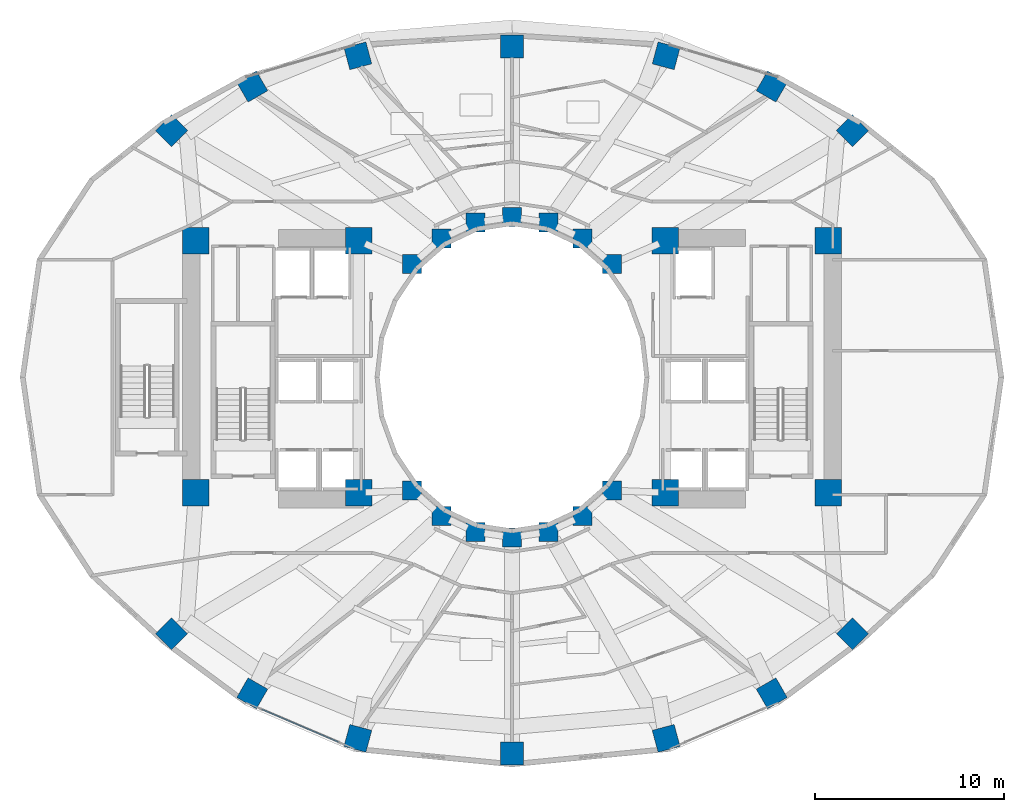
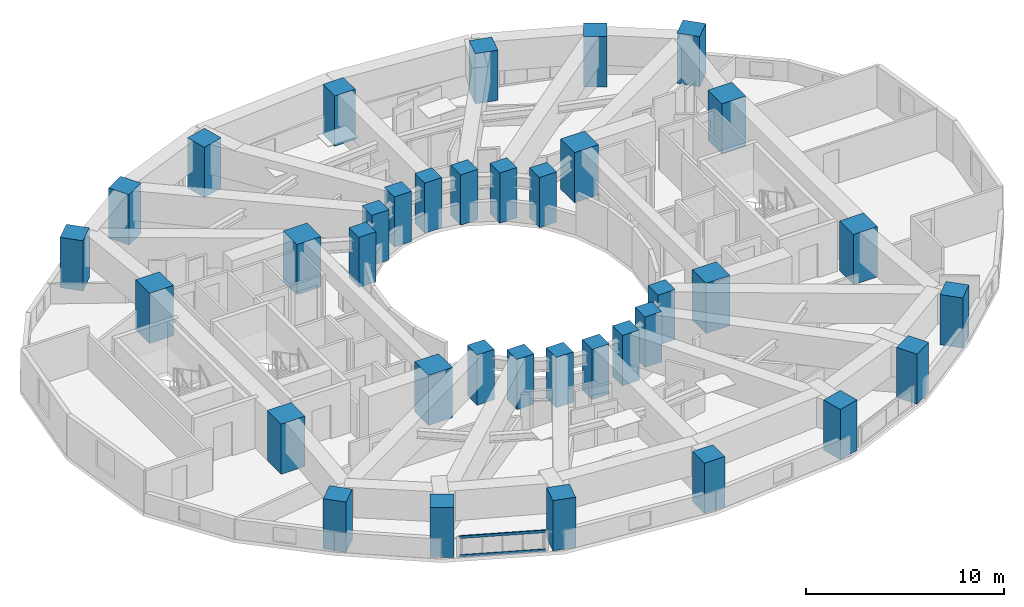
# One storey, part 1 of 16: 36 columns, 2 members, 1 element without a shape of its own.
"""IFC4 building model written with IfcOpenShell, lengths in metres."""

from ifc_helpers import new_model, si_unit, direction, frame, origin, origin_2d, place, context, subcontext, project, spatial, rectangle, hollow_rectangle, extrude, material, layer, layer_set, material_profile, profile_set, type_object, element, aggregate, save


model = new_model("IFC4")

# Units and contexts
model_context = context("Model", 3, precision=1e-05, world=origin(), true_north=direction((0.0, 1.0)))
body_context = subcontext(model_context, "Body", "Model", "MODEL_VIEW")
ifc_project = project(units=[si_unit("LENGTHUNIT", "METRE"), si_unit("AREAUNIT", "SQUARE_METRE"), si_unit("VOLUMEUNIT", "CUBIC_METRE"), si_unit("PLANEANGLEUNIT", "RADIAN"), si_unit("MASSUNIT", "GRAM", prefix="KILO")], contexts=[model_context])

# Site, building, storey
site_placement = place(None, origin())
site = spatial("IfcSite", under=ifc_project, at=site_placement, CompositionType="ELEMENT")
building_placement = place(site_placement, origin())
building = spatial("IfcBuilding", under=site, at=building_placement, Name="Solvane Sanctuary Tower", CompositionType="ELEMENT")
storey_placement = place(building_placement, frame((0.0, 0.0, 61.699951171875)))
storey = spatial("IfcBuildingStorey", under=building, at=storey_placement, Name="L18", CompositionType="ELEMENT", Elevation=61.699951171875)

# Columns
ifc_material_1 = material(Name="Concrete C70/85", Category="concrete")
ifc_material_profile_1 = material_profile(ifc_material_1, rectangle(XDim=1.39990234375, YDim=1.39990234375, at=origin_2d()), Name="RC1400X1400")
ifc_profile_set_1 = profile_set([ifc_material_profile_1], Name="Concrete C70/85")
column_type_1 = type_object("IfcColumnType", Name="Column C-POD-INT RC1400X1400", PredefinedType="COLUMN", material=ifc_profile_set_1)
for number, where, z_axis, x_axis, name in (
    (1, (15.300048828125, 16.89990234375, 0.0), (0.0, 0.0, 1.0), (1.0, 0.0, 0.0), "L18 Core Corner Column CW1"),
    (2, (23.89990234375, 16.89990234375, 0.0), (0.0, 0.0, 1.0), (1.0, 0.0, 0.0), "L18 Core Corner Column CW2"),
    (3, (23.89990234375, 30.199951171875, 0.0), (0.0, 0.0, 1.0), (1.0, 0.0, 0.0), "L18 Core Corner Column CW3"),
    (4, (15.300048828125, 30.199951171875, 0.0), (0.0, 0.0, 1.0), (1.0, 0.0, 0.0), "L18 Core Corner Column CW4"),
    (5, (40.10009765625, 16.89990234375, 0.0), (0.0, 0.0, 1.0), (1.0, 0.0, 0.0), "L18 Core Corner Column CE1"),
    (6, (48.699951171875, 16.89990234375, 0.0), (0.0, 0.0, 1.0), (1.0, 0.0, 0.0), "L18 Core Corner Column CE2"),
    (7, (48.699951171875, 30.199951171875, 0.0), (0.0, 0.0, 1.0), (1.0, 0.0, 0.0), "L18 Core Corner Column CE3"),
    (8, (40.10009765625, 30.199951171875, 0.0), (0.0, 0.0, 1.0), (1.0, 0.0, 0.0), "L18 Core Corner Column CE4"),
):
    element("IfcColumn", number, at=place(storey_placement, frame(where, z_axis=z_axis, x_axis=x_axis)), inside=storey, type_object=column_type_1, Name=name, PredefinedType="COLUMN", context=body_context, shape_type="SweptSolid", body=[
        extrude(rectangle(XDim=1.39990234375, YDim=1.39990234375, at=origin_2d()), origin(), (0.0, 0.0, 1.0), 3.10009765625),
    ])
ifc_material_profile_2 = material_profile(ifc_material_1, rectangle(XDim=1.0, YDim=1.0, at=origin_2d()), Name="RC1000X1000")
ifc_profile_set_2 = profile_set([ifc_material_profile_2], Name="Concrete C70/85")
column_type_2 = type_object("IfcColumnType", Name="Column C-RING-Z1 RC1000X1000", PredefinedType="COLUMN", material=ifc_profile_set_2)
for number, where, z_axis, x_axis, name in (
    (9, (37.27490234375, 28.982177734375, 0.0), (0.0, 0.0, 1.0), (1.0, 0.0, 0.0), "L18 Inner Light-Well Ring Column IC01"),
    (10, (35.72998046875, 30.32666015625, 0.0), (0.0, 0.0, 1.0), (1.0, 0.0, 0.0), "L18 Inner Light-Well Ring Column IC02"),
    (11, (33.930908203125, 31.171630859375, 0.0), (0.0, 0.0, 1.0), (1.0, 0.0, 0.0), "L18 Inner Light-Well Ring Column IC03"),
    (12, (32.0, 31.4599609375, 0.0), (0.0, 0.0, 1.0), (1.0, 0.0, 0.0), "L18 Inner Light-Well Ring Column IC04"),
    (13, (30.069091796875, 31.171630859375, 0.0), (0.0, 0.0, 1.0), (1.0, 0.0, 0.0), "L18 Inner Light-Well Ring Column IC05"),
    (14, (28.27001953125, 30.32666015625, 0.0), (0.0, 0.0, 1.0), (1.0, 0.0, 0.0), "L18 Inner Light-Well Ring Column IC06"),
    (15, (26.72509765625, 28.982177734375, 0.0), (0.0, 0.0, 1.0), (1.0, 0.0, 0.0), "L18 Inner Light-Well Ring Column IC07"),
    (16, (26.72509765625, 17.017822265625, 0.0), (0.0, 0.0, 1.0), (1.0, 0.0, 0.0), "L18 Inner Light-Well Ring Column IC08"),
    (17, (28.27001953125, 15.67333984375, 0.0), (0.0, 0.0, 1.0), (1.0, 0.0, 0.0), "L18 Inner Light-Well Ring Column IC09"),
    (18, (30.069091796875, 14.828369140625, 0.0), (0.0, 0.0, 1.0), (1.0, 0.0, 0.0), "L18 Inner Light-Well Ring Column IC10"),
    (19, (32.0, 14.5400390625, 0.0), (0.0, 0.0, 1.0), (1.0, 0.0, 0.0), "L18 Inner Light-Well Ring Column IC11"),
    (20, (33.930908203125, 14.828369140625, 0.0), (0.0, 0.0, 1.0), (1.0, 0.0, 0.0), "L18 Inner Light-Well Ring Column IC12"),
    (21, (35.72998046875, 15.67333984375, 0.0), (0.0, 0.0, 1.0), (1.0, 0.0, 0.0), "L18 Inner Light-Well Ring Column IC13"),
    (22, (37.27490234375, 17.017822265625, 0.0), (0.0, 0.0, 1.0), (1.0, 0.0, 0.0), "L18 Inner Light-Well Ring Column IC14"),
):
    element("IfcColumn", number, at=place(storey_placement, frame(where, z_axis=z_axis, x_axis=x_axis)), inside=storey, type_object=column_type_2, Name=name, PredefinedType="COLUMN", context=body_context, shape_type="SweptSolid", body=[
        extrude(rectangle(XDim=1.0, YDim=1.0, at=origin_2d()), origin(), (0.0, 0.0, 1.0), 3.10009765625),
    ])
ifc_material_profile_3 = material_profile(ifc_material_1, rectangle(XDim=1.199951171875, YDim=1.199951171875, at=origin_2d()), Name="RC1200X1200")
ifc_profile_set_3 = profile_set([ifc_material_profile_3], Name="Concrete C70/85")
column_type_3 = type_object("IfcColumnType", Name="Column C-TUBE-Z1 RC1200X1200", PredefinedType="COLUMN", material=ifc_profile_set_3)
for number, where, z_axis, x_axis, name in (
    (23, (49.99169921875, 36.035400390625, 0.0), (0.0, 0.0, 1.0), (0.707106781187, 0.707106781187, 0.0), "L18 Perimeter Tube Column TC01"),
    (24, (45.727294921875, 38.359375, 0.0), (0.0, 0.0, 1.0), (0.5, 0.866025403784, 0.0), "L18 Perimeter Tube Column TC02"),
    (25, (40.14501953125, 39.985595703125, 0.0), (0.0, 0.0, 1.0), (0.258819045103, 0.965925826289, 0.0), "L18 Perimeter Tube Column TC03"),
    (26, (32.0, 40.47998046875, 0.0), (0.0, 0.0, 1.0), (0.0, 1.0, 0.0), "L18 Perimeter Tube Column TC04"),
    (27, (23.85498046875, 39.985595703125, 0.0), (0.0, 0.0, 1.0), (-0.258819045103, 0.965925826289, 0.0), "L18 Perimeter Tube Column TC05"),
    (28, (18.272705078125, 38.359375, 0.0), (0.0, 0.0, 1.0), (-0.5, 0.866025403784, 0.0), "L18 Perimeter Tube Column TC06"),
    (29, (14.00830078125, 36.035400390625, 0.0), (0.0, 0.0, 1.0), (-0.707106781187, 0.707106781187, 0.0), "L18 Perimeter Tube Column TC07"),
    (30, (14.00830078125, 9.4462890625, 0.0), (0.0, 0.0, 1.0), (-0.707106781187, -0.707106781187, 0.0), "L18 Perimeter Tube Column TC08"),
    (31, (18.272705078125, 6.2958984375, 0.0), (0.0, 0.0, 1.0), (-0.5, -0.866025403784, 0.0), "L18 Perimeter Tube Column TC09"),
    (32, (23.85498046875, 3.916259765625, 0.0), (0.0, 0.0, 1.0), (-0.258819045103, -0.965925826289, 0.0), "L18 Perimeter Tube Column TC10"),
    (33, (32.0, 3.1201171875, 0.0), (0.0, 0.0, 1.0), (0.0, -1.0, 0.0), "L18 Perimeter Tube Column TC11"),
    (34, (40.14501953125, 3.916259765625, 0.0), (0.0, 0.0, 1.0), (0.258819045103, -0.965925826289, 0.0), "L18 Perimeter Tube Column TC12"),
    (35, (45.727294921875, 6.2958984375, 0.0), (0.0, 0.0, 1.0), (0.5, -0.866025403784, 0.0), "L18 Perimeter Tube Column TC13"),
    (36, (49.99169921875, 9.4462890625, 0.0), (0.0, 0.0, 1.0), (0.707106781187, -0.707106781187, 0.0), "L18 Perimeter Tube Column TC14"),
):
    element("IfcColumn", number, at=place(storey_placement, frame(where, z_axis=z_axis, x_axis=x_axis)), inside=storey, type_object=column_type_3, Name=name, PredefinedType="COLUMN", context=body_context, shape_type="SweptSolid", body=[
        extrude(rectangle(XDim=1.199951171875, YDim=1.199951171875, at=origin_2d()), origin(), (0.0, 0.0, 1.0), 3.10009765625),
    ])

# Curtain wall, members
ifc_material_2 = material(Name="Anodised Aluminium 6063-T6", Category="aluminium")
ifc_layer = layer(ifc_material_2, 0.169921875, Name="Anodised Aluminium 6063-T6")
ifc_layer_set = layer_set([ifc_layer], Name="Anodised Aluminium 6063-T6")
curtain_wall_type = type_object("IfcCurtainWallType", Name="Curtain Wall CW-FRIT-Z1", PredefinedType="NOTDEFINED", material=ifc_layer_set)
curtain_wall_placement = place(storey_placement, origin())
curtain_wall = element("IfcCurtainWall", 37, at=curtain_wall_placement, inside=storey, type_object=curtain_wall_type, Name="L18 CW-FRIT-Z1 Facade Run 16", PredefinedType="NOTDEFINED")
ifc_material_profile_4 = material_profile(ifc_material_2, hollow_rectangle(XDim=0.06494140625, YDim=0.159912109375, WallThickness=0.00341796875, at=origin_2d()), Name="ALU160X65X3.5")
ifc_profile_set_4 = profile_set([ifc_material_profile_4], Name="Anodised Aluminium 6063-T6")
member_type = type_object("IfcMemberType", Name="Member M-CW-TRN-1 ALU160X65X3.5", PredefinedType="USERDEFINED", material=ifc_profile_set_4)
member_1_placement = place(storey_placement, frame((18.781005859375, 5.451416015625, 0.032470703125), z_axis=(0.919612983912, -0.392825609935, 0.0), x_axis=(0.392825609935, 0.919612983912, 0.0)))
member_1 = element("IfcMember", 38, at=member_1_placement, type_object=member_type, Name="CW-FRIT-Z1 transom 1.1", ObjectType="TRANSOM", PredefinedType="USERDEFINED", context=body_context, shape_type="SweptSolid", body=[
    extrude(hollow_rectangle(XDim=0.06494140625, YDim=0.159912109375, WallThickness=0.00341796875, at=origin_2d()), origin(), (0.0, 0.0, 1.0), 4.41943359375),
])
member_2_placement = place(storey_placement, frame((18.781005859375, 5.451416015625, 1.1875), z_axis=(0.919612983912, -0.392825609935, 0.0), x_axis=(0.392825609935, 0.919612983912, 0.0)))
member_2 = element("IfcMember", 39, at=member_2_placement, type_object=member_type, Name="CW-FRIT-Z1 transom 1.2", ObjectType="TRANSOM", PredefinedType="USERDEFINED", context=body_context, shape_type="SweptSolid", body=[
    extrude(hollow_rectangle(XDim=0.06494140625, YDim=0.159912109375, WallThickness=0.00341796875, at=origin_2d()), origin(), (0.0, 0.0, 1.0), 4.41943359375),
])
aggregate(curtain_wall, [member_1, member_2])

save(model, "model.ifc")
